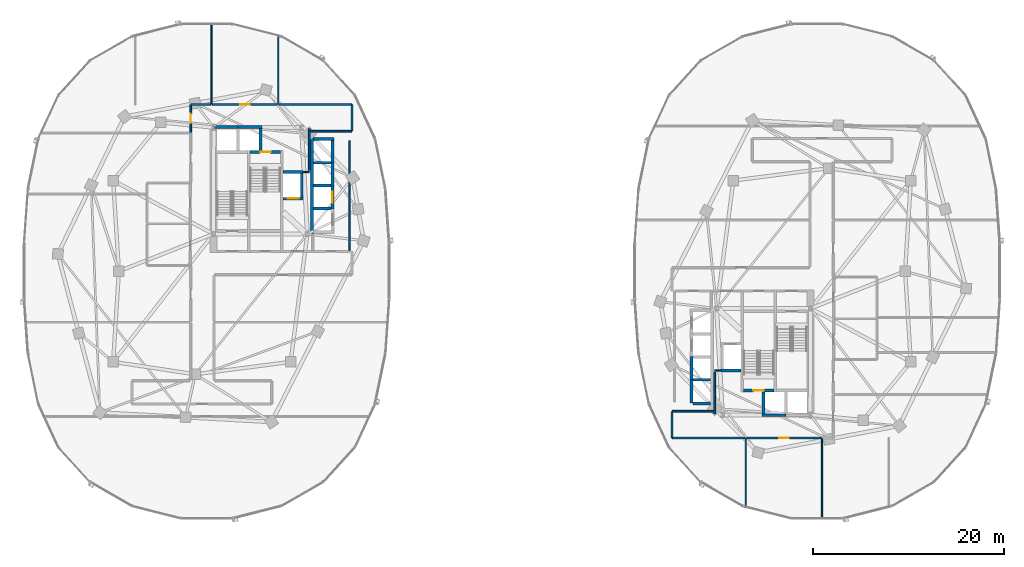
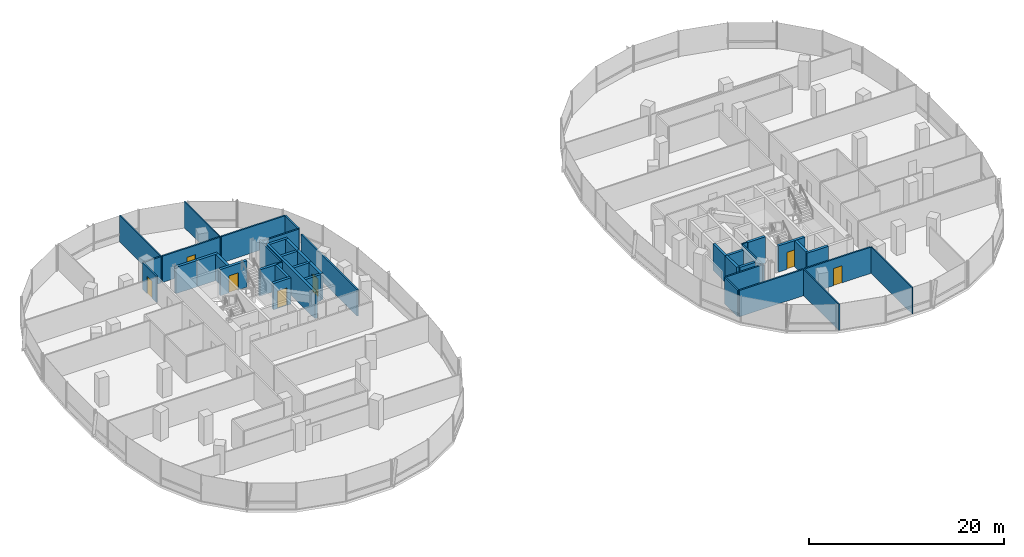
# One storey, part 12 of 21: 42 walls, 7 doors, 7 openings.
"""IFC4 building model written with IfcOpenShell, lengths in metres."""

import ifcopenshell
import ifcopenshell.guid

model = None  # the IFC model being written
_history = None  # IfcOwnerHistory: only IFC2X3 demands one
_inside = {}  # id of a spatial element -> (the spatial element, [elements in it])
_under = {}  # id of a project, library or spatial element -> (it, [spatial elements below it])
_declared = {}  # id of a project -> (the project, [libraries it declares])
_typed = {}  # id of a type object -> (the type object, [elements of that type])
_made_of = {}  # id of a material, layer set ... -> (it, [elements and type objects made of it])


def new_model(schema):
    """Start an empty IFC model of exactly this schema.

    Asked for "IFC4X3", IfcOpenShell would pick the latest addendum, in which some entities
    have other attributes; the version numbers below select the first issue.
    IFC2X3 requires an IfcOwnerHistory on every rooted entity: one is made here for all.
    """
    global model, _history
    if schema == "IFC4X3":
        model = ifcopenshell.file(schema_version=(4, 3, 0, 0))
    else:
        model = ifcopenshell.file(schema=schema)
    _inside.clear()
    _under.clear()
    _declared.clear()
    _typed.clear()
    _made_of.clear()
    _history = None
    if model.schema == "IFC2X3":
        org = make("IfcOrganization", Name="unknown")
        user = make(
            "IfcPersonAndOrganization",
            ThePerson=make("IfcPerson", FamilyName="unknown"),
            TheOrganization=org,
        )
        app = make(
            "IfcApplication",
            ApplicationDeveloper=org,
            Version="unknown",
            ApplicationFullName="unknown",
            ApplicationIdentifier="unknown",
        )
        _history = make(
            "IfcOwnerHistory",
            OwningUser=user,
            OwningApplication=app,
            ChangeAction="ADDED",
            CreationDate=0,
        )
    return model


def make(cls, **values):
    """One entity of the class cls with the attributes given. An attribute that is None is left unset."""
    return model.create_entity(
        cls, **{name: value for name, value in values.items() if value is not None}
    )


def rooted(cls, **values):
    """An entity with a GlobalId (a new one), such as an element, a storey or a relation."""
    return make(cls, GlobalId=ifcopenshell.guid.new(), OwnerHistory=_history, **values)


def si_unit(unit_type, name, prefix=None):
    """IfcSIUnit, for example si_unit("LENGTHUNIT", "METRE", prefix="MILLI")."""
    return make("IfcSIUnit", UnitType=unit_type, Prefix=prefix, Name=name)


def assignment(units):
    """IfcUnitAssignment: the units of a project."""
    return None if units is None else make("IfcUnitAssignment", Units=units)


def point(xyz):
    """IfcCartesianPoint."""
    return None if xyz is None else make("IfcCartesianPoint", Coordinates=xyz)


def direction(xyz):
    """IfcDirection."""
    return None if xyz is None else make("IfcDirection", DirectionRatios=xyz)


def frame(location, z_axis=None, x_axis=None):
    """IfcAxis2Placement3D, a coordinate frame: its origin and axes. An axis left out is left unset."""
    return make(
        "IfcAxis2Placement3D",
        Location=point(location),
        Axis=direction(z_axis),
        RefDirection=direction(x_axis),
    )


def frame_2d(location, x_axis=None):
    """IfcAxis2Placement2D, a coordinate frame in the plane: its origin and x axis."""
    return make(
        "IfcAxis2Placement2D", Location=point(location), RefDirection=direction(x_axis)
    )


def origin():
    """The frame at (0, 0, 0) with its axes left unset."""
    return frame((0.0, 0.0, 0.0))


def place(relative_to, where):
    """IfcLocalPlacement: puts the frame where relative to a parent placement (None: the world)."""
    return make(
        "IfcLocalPlacement", PlacementRelTo=relative_to, RelativePlacement=where
    )


def context(
    kind, dimensions, precision=None, world=None, true_north=None, identifier=None
):
    """IfcGeometricRepresentationContext, for example the 3D "Model" context."""
    return make(
        "IfcGeometricRepresentationContext",
        ContextIdentifier=identifier,
        ContextType=kind,
        CoordinateSpaceDimension=dimensions,
        Precision=precision,
        WorldCoordinateSystem=world,
        TrueNorth=true_north,
    )


def subcontext(parent, identifier, kind, view, scale=None):
    """IfcGeometricRepresentationSubContext, for example "Body" below "Model"."""
    return make(
        "IfcGeometricRepresentationSubContext",
        ContextIdentifier=identifier,
        ContextType=kind,
        ParentContext=parent,
        TargetScale=scale,
        TargetView=view,
    )


def project(units=None, contexts=None):
    """IfcProject with its units and contexts."""
    return rooted(
        "IfcProject",
        Name="project",
        RepresentationContexts=contexts,
        UnitsInContext=assignment(units),
    )


def spatial(cls, under=None, at=None, **own):
    """A site, building, storey or space (cls), placed at a placement, below another one or the project."""
    s = rooted(cls, ObjectPlacement=at, **own)
    if under is not None:
        _under.setdefault(under.id(), (under, []))[1].append(s)
    return s


def profile(cls, at=None, kind="AREA", **sizes):
    """A parametric profile (cls). Its sizes go by their IFC names, for example OverallWidth=200.0."""
    return make(cls, ProfileType=kind, Position=at, **sizes)


def rectangle(**sizes):
    """IfcRectangleProfileDef."""
    return profile("IfcRectangleProfileDef", **sizes)


def extrude(swept, where, along, depth):
    """IfcExtrudedAreaSolid: the profile swept, set in the frame where, extruded along a direction by depth."""
    return make(
        "IfcExtrudedAreaSolid",
        SweptArea=swept,
        Position=where,
        ExtrudedDirection=direction(along),
        Depth=depth,
    )


def shape(context_of_items, identifier, shape_type, items):
    """IfcShapeRepresentation: the items that make up one representation, for example the "Body"."""
    return make(
        "IfcShapeRepresentation",
        ContextOfItems=context_of_items,
        RepresentationIdentifier=identifier,
        RepresentationType=shape_type,
        Items=items,
    )


def material(Name=None, Category=None):
    """IfcMaterial."""
    return make("IfcMaterial", Name=Name, Category=Category)


def layer(
    of_material, thickness, ventilated=None, Name=None, Category=None, Priority=None
):
    """IfcMaterialLayer: one layer of a wall or slab, of a material (None: an air gap)."""
    return make(
        "IfcMaterialLayer",
        Material=of_material,
        LayerThickness=thickness,
        IsVentilated=ventilated,
        Name=Name,
        Category=Category,
        Priority=Priority,
    )


def layer_set(layers, Name=None):
    """IfcMaterialLayerSet."""
    return make("IfcMaterialLayerSet", MaterialLayers=layers, LayerSetName=Name)


def made_of(thing, what):
    """Note that an element or type object is made of a material, layer set ...; save() writes the relation."""
    if what is not None:
        _made_of.setdefault(what.id(), (what, []))[1].append(thing)
    return thing


def type_object(cls, material=None, **own):
    """A type object (cls), such as IfcWallType, which elements share."""
    return made_of(rooted(cls, **own), material)


def element(
    cls,
    number,
    at=None,
    inside=None,
    cuts=None,
    type_object=None,
    material=None,
    context=None,
    identifier="Body",
    shape_type=None,
    held_by="IfcProductDefinitionShape",
    body=None,
    shapes=None,
    **own,
):
    """One element of the class cls, such as IfcWall. Its Tag is "e" and its number.

    at: its placement. inside: the storey or other place that contains it. cuts: it is an
    opening in that element (IfcRelVoidsElement). A single representation is given by context,
    identifier, shape_type and body (its items); several are given by shapes. held_by: the class
    of the entity that holds the representations. save() writes the other relations.
    """
    e = rooted(cls, Tag="e%d" % number, ObjectPlacement=at, **own)
    if body is not None:
        shapes = [shape(context, identifier, shape_type, body)]
    if shapes is not None:
        e.Representation = make(held_by, Representations=shapes)
    if inside is not None:
        _inside.setdefault(inside.id(), (inside, []))[1].append(e)
    if cuts is not None:
        rooted(
            "IfcRelVoidsElement", RelatingBuildingElement=cuts, RelatedOpeningElement=e
        )
    if type_object is not None:
        _typed.setdefault(type_object.id(), (type_object, []))[1].append(e)
    return made_of(e, material)


def fill(opening, filler):
    """IfcRelFillsElement: the door or window that sits in an opening."""
    return rooted(
        "IfcRelFillsElement",
        RelatingOpeningElement=opening,
        RelatedBuildingElement=filler,
    )


def aggregate(whole, parts):
    """IfcRelAggregates: a whole, such as a stair, and the parts it consists of."""
    return rooted("IfcRelAggregates", RelatingObject=whole, RelatedObjects=parts)


def save(model, path):
    """Write the relations noted so far, then the file.

    IfcRelAggregates (storeys below a building ...), IfcRelContainedInSpatialStructure (elements
    in a storey), IfcRelDefinesByType, IfcRelAssociatesMaterial and IfcRelDeclares: one each for
    every whole, place, type object, material and project.
    """
    for whole, parts in _under.values():
        aggregate(whole, parts)
    for where, things in _inside.values():
        rooted(
            "IfcRelContainedInSpatialStructure",
            RelatedElements=things,
            RelatingStructure=where,
        )
    for kind, things in _typed.values():
        rooted("IfcRelDefinesByType", RelatedObjects=things, RelatingType=kind)
    for what, things in _made_of.values():
        rooted("IfcRelAssociatesMaterial", RelatedObjects=things, RelatingMaterial=what)
    for by, libraries in _declared.values():
        rooted("IfcRelDeclares", RelatingContext=by, RelatedDefinitions=libraries)
    model.write(path)


model = new_model("IFC4")

# Units and contexts
model_context = context("Model", 3, precision=1e-05, world=origin(), true_north=direction((0.0, 1.0)))
body_context = subcontext(model_context, "Body", "Model", "MODEL_VIEW")
ifc_project = project(units=[si_unit("LENGTHUNIT", "METRE"), si_unit("AREAUNIT", "SQUARE_METRE"), si_unit("VOLUMEUNIT", "CUBIC_METRE"), si_unit("PLANEANGLEUNIT", "RADIAN"), si_unit("MASSUNIT", "GRAM", prefix="KILO"), si_unit("THERMODYNAMICTEMPERATUREUNIT", "KELVIN"), si_unit("POWERUNIT", "WATT")], contexts=[model_context])

# Site, building, storey
site_placement = place(None, origin())
site = spatial("IfcSite", under=ifc_project, at=site_placement, CompositionType="ELEMENT")
building_placement = place(site_placement, origin())
building = spatial("IfcBuilding", under=site, at=building_placement, Name="Cundina Bronze Exchange", CompositionType="ELEMENT")
storey_placement = place(building_placement, frame((0.0, 0.0, 117.800048828125)))
storey = spatial("IfcBuildingStorey", under=building, at=storey_placement, Name="L30", CompositionType="ELEMENT", Elevation=117.800048828125)

# Walls
ifc_material_1 = material(Name="Gypsum Fireboard Partition EI120")
ifc_layer_1 = layer(ifc_material_1, 0.179931640625, Name="Gypsum Fireboard Partition EI120")
ifc_layer_set_1 = layer_set([ifc_layer_1], Name="Gypsum Fireboard Partition EI120")
wall_type_1 = type_object("IfcWallType", Name="WL-COR-180", PredefinedType="PARTITIONING", material=ifc_layer_set_1)
wall_1_placement = place(storey_placement, frame((-17.02001953125, 2.169921875, 0.0), z_axis=(0.0, 0.0, 1.0), x_axis=(0.0, 1.0, 0.0)))
element("IfcWall", 1, at=wall_1_placement, inside=storey, type_object=wall_type_1, Name="L30 Interior Partition 001", PredefinedType="PARTITIONING", context=body_context, shape_type="SweptSolid", body=[
    extrude(rectangle(XDim=11.510009765625, YDim=0.179931640625, at=frame_2d((5.7548828125, 0.0))), origin(), (0.0, 0.0, 1.0), 3.300048828125),
])
wall_2_placement = place(storey_placement, frame((-21.25, 10.570068359375, 0.0), z_axis=(0.0, 0.0, 1.0), x_axis=(0.0, 1.0, 0.0)))
element("IfcWall", 2, at=wall_2_placement, inside=storey, type_object=wall_type_1, Name="L30 Interior Partition 004", PredefinedType="PARTITIONING", context=body_context, shape_type="SweptSolid", body=[
    extrude(rectangle(XDim=4.35986328125, YDim=0.179931640625, at=frame_2d((2.179931640625, 0.0))), origin(), (0.0, 0.0, 1.0), 3.300048828125),
])
wall_3_placement = place(storey_placement, frame((-16.821533203125, 17.469970703125, 0.0), z_axis=(0.0, 0.0, 1.0), x_axis=(-1.0, 0.0, 0.0)))
element("IfcWall", 3, at=wall_3_placement, inside=storey, type_object=wall_type_1, Name="L30 Interior Partition 030", PredefinedType="PARTITIONING", context=body_context, shape_type="SweptSolid", body=[
    extrude(rectangle(XDim=7.58837890625, YDim=0.179931640625, at=frame_2d((3.794189453125, 0.0))), origin(), (0.0, 0.0, 1.0), 3.300048828125),
])
wall_4_placement = place(storey_placement, frame((-21.178466796875, 14.679931640625, 0.0), z_axis=(0.0, 0.0, 1.0), x_axis=(1.0, 0.0, 0.0)))
element("IfcWall", 4, at=wall_4_placement, inside=storey, type_object=wall_type_1, Name="L30 Interior Partition 032", PredefinedType="PARTITIONING", context=body_context, shape_type="SweptSolid", body=[
    extrude(rectangle(XDim=4.35693359375, YDim=0.179931640625, at=frame_2d((2.178466796875, 0.0))), origin(), (0.0, 0.0, 1.0), 3.300048828125),
])
wall_5_placement = place(storey_placement, frame((-16.780029296875, 14.721435546875, 0.0), z_axis=(0.0, 0.0, 1.0), x_axis=(0.0, 1.0, 0.0)))
element("IfcWall", 5, at=wall_5_placement, inside=storey, type_object=wall_type_1, Name="L30 Interior Partition 033", PredefinedType="PARTITIONING", context=body_context, shape_type="SweptSolid", body=[
    extrude(rectangle(XDim=2.70703125, YDim=0.179931640625, at=frame_2d((1.353515625, 0.0))), origin(), (0.0, 0.0, 1.0), 3.300048828125),
])

# Wall, opening, door
wall_6_placement = place(storey_placement, frame((-33.669921875, 17.428466796875, 0.0), z_axis=(0.0, 0.0, 1.0), x_axis=(0.0, -1.0, 0.0)))
wall_6 = element("IfcWall", 6, at=wall_6_placement, inside=storey, type_object=wall_type_1, Name="L30 Interior Partition 036", PredefinedType="PARTITIONING", context=body_context, shape_type="SweptSolid", body=[
    extrude(rectangle(XDim=2.83837890625, YDim=0.179931640625, at=frame_2d((1.419189453125, 0.0))), origin(), (0.0, 0.0, 1.0), 3.300048828125),
])
opening_1_placement = place(wall_6_placement, frame((0.919189453125, 0.0, 0.0)))
opening_1 = element("IfcOpeningElement", 7, at=opening_1_placement, cuts=wall_6, Name="Opening DO-01", PredefinedType="OPENING", context=body_context, shape_type="SweptSolid", body=[
    extrude(rectangle(XDim=1.0, YDim=2.14990234375, at=frame_2d((0.5, 1.074951171875))), frame((0.0, 0.099853515625, 0.0), z_axis=(0.0, -1.0, 0.0), x_axis=(1.0, 0.0, 0.0)), (0.0, 0.0, 1.0), 0.199951171875),
])
ifc_material_2 = material(Name="Solid Andean Oak Timber Grade A", Category="wood")
door_type_1 = type_object("IfcDoorType", Name="DR-OFF-1000", OperationType="NOTDEFINED", PredefinedType="DOOR", material=ifc_material_2)
door_1_placement = place(opening_1_placement, origin())
door_1 = element("IfcDoor", 8, at=door_1_placement, inside=storey, type_object=door_type_1, Name="L30 Interior Door 036", OperationType="SINGLE_SWING_LEFT", OverallHeight=2.14990234375, OverallWidth=1.0, PredefinedType="DOOR", context=body_context, shape_type="SweptSolid", body=[
    extrude(rectangle(XDim=1.0, YDim=2.14990234375, at=frame_2d((0.5, 1.074951171875))), frame((0.0, 0.02490234375, 0.0), z_axis=(0.0, -1.0, 0.0), x_axis=(1.0, 0.0, 0.0)), (0.0, 0.0, 1.0), 0.050048828125),
])
fill(opening_1, door_1)

# Wall
wall_7_placement = place(storey_placement, frame((-31.590087890625, 17.469970703125, 0.0), z_axis=(0.0, 0.0, 1.0), x_axis=(-1.0, 0.0, 0.0)))
element("IfcWall", 9, at=wall_7_placement, inside=storey, type_object=wall_type_1, Name="L30 Interior Partition 037", PredefinedType="PARTITIONING", context=body_context, shape_type="SweptSolid", body=[
    extrude(rectangle(XDim=2.038330078125, YDim=0.179931640625, at=frame_2d((1.01904296875, 0.0))), origin(), (0.0, 0.0, 1.0), 3.300048828125),
])

# Wall, opening, door
wall_8_placement = place(storey_placement, frame((-24.590087890625, 17.469970703125, 0.0), z_axis=(0.0, 0.0, 1.0), x_axis=(-1.0, 0.0, 0.0)))
wall_8 = element("IfcWall", 10, at=wall_8_placement, inside=storey, type_object=wall_type_1, Name="L30 Interior Partition 038", PredefinedType="PARTITIONING", context=body_context, shape_type="SweptSolid", body=[
    extrude(rectangle(XDim=6.81982421875, YDim=0.179931640625, at=frame_2d((3.409912109375, 0.0))), origin(), (0.0, 0.0, 1.0), 3.300048828125),
])
opening_2_placement = place(wall_8_placement, frame((2.909912109375, 0.0, 0.0)))
opening_2 = element("IfcOpeningElement", 11, at=opening_2_placement, cuts=wall_8, Name="Opening DO-01", PredefinedType="OPENING", context=body_context, shape_type="SweptSolid", body=[
    extrude(rectangle(XDim=1.0, YDim=2.14990234375, at=frame_2d((0.5, 1.074951171875))), frame((0.0, 0.099853515625, 0.0), z_axis=(0.0, -1.0, 0.0), x_axis=(1.0, 0.0, 0.0)), (0.0, 0.0, 1.0), 0.199951171875),
])
door_2_placement = place(opening_2_placement, origin())
door_2 = element("IfcDoor", 12, at=door_2_placement, inside=storey, type_object=door_type_1, Name="L30 Interior Door 038", OperationType="SINGLE_SWING_LEFT", OverallHeight=2.14990234375, OverallWidth=1.0, PredefinedType="DOOR", context=body_context, shape_type="SweptSolid", body=[
    extrude(rectangle(XDim=1.0, YDim=2.14990234375, at=frame_2d((0.5, 1.074951171875))), frame((0.0, 0.02490234375, 0.0), z_axis=(0.0, -1.0, 0.0), x_axis=(1.0, 0.0, 0.0)), (0.0, 0.0, 1.0), 0.050048828125),
])
fill(opening_2, door_2)

# Wall
wall_9_placement = place(storey_placement, frame((21.25, -14.929931640625, 0.0), z_axis=(0.0, 0.0, 1.0), x_axis=(0.0, 1.0, 0.0)))
element("IfcWall", 13, at=wall_9_placement, inside=storey, type_object=wall_type_1, Name="L30 Interior Partition 043", PredefinedType="PARTITIONING", context=body_context, shape_type="SweptSolid", body=[
    extrude(rectangle(XDim=4.35986328125, YDim=0.179931640625, at=frame_2d((2.179931640625, 0.0))), origin(), (0.0, 0.0, 1.0), 3.300048828125),
])

# Wall, opening, door
wall_10_placement = place(storey_placement, frame((24.590087890625, -17.469970703125, 0.0), z_axis=(0.0, 0.0, 1.0), x_axis=(1.0, 0.0, 0.0)))
wall_10 = element("IfcWall", 14, at=wall_10_placement, inside=storey, type_object=wall_type_1, Name="L30 Interior Partition 060", PredefinedType="PARTITIONING", context=body_context, shape_type="SweptSolid", body=[
    extrude(rectangle(XDim=7.81982421875, YDim=0.179931640625, at=frame_2d((3.909912109375, 0.0))), origin(), (0.0, 0.0, 1.0), 3.300048828125),
])
opening_3_placement = place(wall_10_placement, frame((3.409912109375, 0.0, 0.0)))
opening_3 = element("IfcOpeningElement", 15, at=opening_3_placement, cuts=wall_10, Name="Opening DO-01", PredefinedType="OPENING", context=body_context, shape_type="SweptSolid", body=[
    extrude(rectangle(XDim=1.0, YDim=2.14990234375, at=frame_2d((0.5, 1.074951171875))), frame((0.0, 0.099853515625, 0.0), z_axis=(0.0, -1.0, 0.0), x_axis=(1.0, 0.0, 0.0)), (0.0, 0.0, 1.0), 0.199951171875),
])
door_3_placement = place(opening_3_placement, origin())
door_3 = element("IfcDoor", 16, at=door_3_placement, inside=storey, type_object=door_type_1, Name="L30 Interior Door 060", OperationType="SINGLE_SWING_RIGHT", OverallHeight=2.14990234375, OverallWidth=1.0, PredefinedType="DOOR", context=body_context, shape_type="SweptSolid", body=[
    extrude(rectangle(XDim=1.0, YDim=2.14990234375, at=frame_2d((0.5, 1.074951171875))), frame((0.0, 0.02490234375, 0.0), z_axis=(0.0, -1.0, 0.0), x_axis=(1.0, 0.0, 0.0)), (0.0, 0.0, 1.0), 0.050048828125),
])
fill(opening_3, door_3)

# Walls
wall_11_placement = place(storey_placement, frame((16.821533203125, -17.469970703125, 0.0), z_axis=(0.0, 0.0, 1.0), x_axis=(1.0, 0.0, 0.0)))
element("IfcWall", 17, at=wall_11_placement, inside=storey, type_object=wall_type_1, Name="L30 Interior Partition 065", PredefinedType="PARTITIONING", context=body_context, shape_type="SweptSolid", body=[
    extrude(rectangle(XDim=7.58837890625, YDim=0.179931640625, at=frame_2d((3.794189453125, 0.0))), origin(), (0.0, 0.0, 1.0), 3.300048828125),
])
wall_12_placement = place(storey_placement, frame((21.178466796875, -14.679931640625, 0.0), z_axis=(0.0, 0.0, 1.0), x_axis=(-1.0, 0.0, 0.0)))
element("IfcWall", 18, at=wall_12_placement, inside=storey, type_object=wall_type_1, Name="L30 Interior Partition 067", PredefinedType="PARTITIONING", context=body_context, shape_type="SweptSolid", body=[
    extrude(rectangle(XDim=4.35693359375, YDim=0.179931640625, at=frame_2d((2.178466796875, 0.0))), origin(), (0.0, 0.0, 1.0), 3.300048828125),
])
wall_13_placement = place(storey_placement, frame((16.780029296875, -14.721435546875, 0.0), z_axis=(0.0, 0.0, 1.0), x_axis=(0.0, -1.0, 0.0)))
element("IfcWall", 19, at=wall_13_placement, inside=storey, type_object=wall_type_1, Name="L30 Interior Partition 068", PredefinedType="PARTITIONING", context=body_context, shape_type="SweptSolid", body=[
    extrude(rectangle(XDim=2.70703125, YDim=0.179931640625, at=frame_2d((1.353515625, 0.0))), origin(), (0.0, 0.0, 1.0), 3.300048828125),
])
ifc_material_3 = material(Name="Gypsum Acoustic Partition EI60")
ifc_layer_2 = layer(ifc_material_3, 0.125, Name="Gypsum Acoustic Partition EI60")
ifc_layer_set_2 = layer_set([ifc_layer_2], Name="Gypsum Acoustic Partition EI60")
wall_type_2 = type_object("IfcWallType", Name="WL-OFF-125", PredefinedType="PARTITIONING", material=ifc_layer_set_2)
wall_14_placement = place(storey_placement, frame((-31.5, 17.5, 0.0), z_axis=(0.0, 0.0, 1.0), x_axis=(0.0, 1.0, 0.0)))
element("IfcWall", 20, at=wall_14_placement, inside=storey, type_object=wall_type_2, Name="L30 Interior Partition 019", PredefinedType="PARTITIONING", context=body_context, shape_type="SweptSolid", body=[
    extrude(rectangle(XDim=8.485107421875, YDim=0.125, at=frame_2d((4.24267578125, 0.0))), origin(), (0.0, 0.0, 1.0), 3.300048828125),
])
for number, where, z_axis, x_axis, name in (
    (21, (-24.5, 17.5, 0.0), (0.0, 0.0, 1.0), (0.0, 1.0, 0.0), "L30 Interior Partition 020"),
    (22, (24.5, -24.772216796875, 0.0), (0.0, 0.0, 1.0), (0.0, 1.0, 0.0), "L30 Interior Partition 057"),
):
    element("IfcWall", number, at=place(storey_placement, frame(where, z_axis=z_axis, x_axis=x_axis)), inside=storey, type_object=wall_type_2, Name=name, PredefinedType="PARTITIONING", context=body_context, shape_type="SweptSolid", body=[
        extrude(rectangle(XDim=7.272216796875, YDim=0.125, at=frame_2d((3.63623046875, 0.0))), origin(), (0.0, 0.0, 1.0), 3.300048828125),
    ])
wall_15_placement = place(storey_placement, frame((32.5, -25.985107421875, 0.0), z_axis=(0.0, 0.0, 1.0), x_axis=(0.0, 1.0, 0.0)))
element("IfcWall", 23, at=wall_15_placement, inside=storey, type_object=wall_type_2, Name="L30 Interior Partition 058", PredefinedType="PARTITIONING", context=body_context, shape_type="SweptSolid", body=[
    extrude(rectangle(XDim=8.485107421875, YDim=0.125, at=frame_2d((4.24267578125, 0.0))), origin(), (0.0, 0.0, 1.0), 3.300048828125),
])

# Wall, opening, door
ifc_material_4 = material(Name="Concrete C50/60", Category="concrete")
ifc_layer_3 = layer(ifc_material_4, 0.300048828125, Name="Concrete C50/60", Category="concrete")
ifc_layer_set_3 = layer_set([ifc_layer_3], Name="Concrete C50/60")
wall_type_3 = type_object("IfcWallType", Name="WL-SHFT-300", PredefinedType="SHEAR", material=ifc_layer_set_3)
wall_16_placement = place(storey_placement, frame((-27.43994140625, 12.5, 0.0), z_axis=(0.0, 0.0, 1.0), x_axis=(1.0, 0.0, 0.0)))
wall_16 = element("IfcWall", 24, at=wall_16_placement, inside=storey, type_object=wall_type_3, Name="L30 Stair W2 Landing Wall", PredefinedType="SHEAR", context=body_context, shape_type="SweptSolid", body=[
    extrude(rectangle(XDim=3.159912109375, YDim=0.300048828125, at=frame_2d((1.580078125, 0.0))), origin(), (0.0, 0.0, 1.0), 3.300048828125),
])
opening_4_placement = place(wall_16_placement, frame((1.030029296875, 0.0, 0.0)))
opening_4 = element("IfcOpeningElement", 25, at=opening_4_placement, cuts=wall_16, Name="Opening DS-01", PredefinedType="OPENING", context=body_context, shape_type="SweptSolid", body=[
    extrude(rectangle(XDim=1.10009765625, YDim=2.14990234375, at=frame_2d((0.550048828125, 1.074951171875))), frame((0.0, 0.159912109375, 0.0), z_axis=(0.0, -1.0, 0.0), x_axis=(1.0, 0.0, 0.0)), (0.0, 0.0, 1.0), 0.320068359375),
])
ifc_material_5 = material(Name="Steel ASTM A36 Painted", Category="steel")
door_type_2 = type_object("IfcDoorType", Name="DR-STR-1100", OperationType="NOTDEFINED", PredefinedType="DOOR", material=ifc_material_5)
door_4_placement = place(opening_4_placement, origin())
door_4 = element("IfcDoor", 26, at=door_4_placement, inside=storey, type_object=door_type_2, Name="L30 Smokeproof Stair W2 Door", OperationType="SINGLE_SWING_LEFT", OverallHeight=2.14990234375, OverallWidth=1.10009765625, PredefinedType="DOOR", context=body_context, shape_type="SweptSolid", body=[
    extrude(rectangle(XDim=1.10009765625, YDim=2.14990234375, at=frame_2d((0.550048828125, 1.074951171875))), frame((0.0, 0.02490234375, 0.0), z_axis=(0.0, -1.0, 0.0), x_axis=(1.0, 0.0, 0.0)), (0.0, 0.0, 1.0), 0.050048828125),
])
fill(opening_4, door_4)

wall_17_placement = place(storey_placement, frame((-23.97998046875, 7.60009765625, 0.0), z_axis=(0.0, 0.0, 1.0), x_axis=(1.0, 0.0, 0.0)))
wall_17 = element("IfcWall", 27, at=wall_17_placement, inside=storey, type_object=wall_type_3, Name="L30 FFL-W Hoistway Front Wall", PredefinedType="SHEAR", context=body_context, shape_type="SweptSolid", body=[
    extrude(rectangle(XDim=2.10009765625, YDim=0.300048828125, at=frame_2d((1.050048828125, 0.0))), origin(), (0.0, 0.0, 1.0), 3.300048828125),
])
opening_5_placement = place(wall_17_placement, frame((0.47509765625, 0.0, 0.0)))
opening_5 = element("IfcOpeningElement", 28, at=opening_5_placement, cuts=wall_17, Name="Opening LD-01", PredefinedType="OPENING", context=body_context, shape_type="SweptSolid", body=[
    extrude(rectangle(XDim=1.14990234375, YDim=2.199951171875, at=frame_2d((0.574951171875, 1.10009765625))), frame((0.0, 0.159912109375, 0.0), z_axis=(0.0, -1.0, 0.0), x_axis=(1.0, 0.0, 0.0)), (0.0, 0.0, 1.0), 0.320068359375),
])
door_type_3 = type_object("IfcDoorType", Name="DR-LND-1150", OperationType="NOTDEFINED", PredefinedType="TRAPDOOR", material=ifc_material_5)
door_5_placement = place(opening_5_placement, origin())
door_5 = element("IfcDoor", 29, at=door_5_placement, inside=storey, type_object=door_type_3, Name="L30 FFL-W Sliding Landing Door", OperationType="SLIDING_TO_LEFT", OverallHeight=2.199951171875, OverallWidth=1.14990234375, PredefinedType="TRAPDOOR", context=body_context, shape_type="SweptSolid", body=[
    extrude(rectangle(XDim=1.14990234375, YDim=2.199951171875, at=frame_2d((0.574951171875, 1.10009765625))), frame((0.0, 0.02490234375, 0.0), z_axis=(0.0, -1.0, 0.0), x_axis=(1.0, 0.0, 0.0)), (0.0, 0.0, 1.0), 0.050048828125),
])
fill(opening_5, door_5)

# Walls
wall_18_placement = place(storey_placement, frame((-23.97998046875, 10.39990234375, 0.0), z_axis=(0.0, 0.0, 1.0), x_axis=(1.0, 0.0, 0.0)))
element("IfcWall", 30, at=wall_18_placement, inside=storey, type_object=wall_type_3, Name="L30 FFL-W Hoistway Back Wall", PredefinedType="SHEAR", context=body_context, shape_type="SweptSolid", body=[
    extrude(rectangle(XDim=2.10009765625, YDim=0.300048828125, at=frame_2d((1.050048828125, 0.0))), origin(), (0.0, 0.0, 1.0), 3.300048828125),
])
for number, where, z_axis, x_axis, name in (
    (31, (-22.030029296875, 7.75, 0.0), (0.0, 0.0, 1.0), (0.0, 1.0, 0.0), "L30 FFL-W Hoistway Side Wall"),
    (32, (-31.199951171875, 15.10009765625, 0.0), (0.0, 0.0, 1.0), (1.0, 0.0, 0.0), "L30 PH-W1 Hoistway Front Wall"),
    (33, (-28.699951171875, 15.10009765625, 0.0), (0.0, 0.0, 1.0), (1.0, 0.0, 0.0), "L30 PH-W2 Hoistway Front Wall"),
):
    element("IfcWall", number, at=place(storey_placement, frame(where, z_axis=z_axis, x_axis=x_axis)), inside=storey, type_object=wall_type_3, Name=name, PredefinedType="SHEAR", context=body_context, shape_type="SweptSolid", body=[
        extrude(rectangle(XDim=2.5, YDim=0.300048828125, at=frame_2d((1.25, 0.0))), origin(), (0.0, 0.0, 1.0), 3.300048828125),
    ])
wall_19_placement = place(storey_placement, frame((-26.35009765625, 12.64990234375, 0.0), z_axis=(0.0, 0.0, 1.0), x_axis=(0.0, 1.0, 0.0)))
element("IfcWall", 34, at=wall_19_placement, inside=storey, type_object=wall_type_3, Name="L30 PH-W2 Hoistway Divider Wall", PredefinedType="SHEAR", context=body_context, shape_type="SweptSolid", body=[
    extrude(rectangle(XDim=2.300048828125, YDim=0.300048828125, at=frame_2d((1.14990234375, 0.0))), origin(), (0.0, 0.0, 1.0), 3.300048828125),
])
wall_20_placement = place(storey_placement, frame((-20.949951171875, 3.949951171875, 0.0), z_axis=(0.0, 0.0, 1.0), x_axis=(0.0, 1.0, 0.0)))
element("IfcWall", 35, at=wall_20_placement, inside=storey, type_object=wall_type_3, Name="L30 W Passenger Bank Hoistway Back Wall", PredefinedType="SHEAR", context=body_context, shape_type="SweptSolid", body=[
    extrude(rectangle(XDim=10.050048828125, YDim=0.300048828125, at=frame_2d((5.02490234375, 0.0))), origin(), (0.0, 0.0, 1.0), 3.300048828125),
])
wall_21_placement = place(storey_placement, frame((-20.800048828125, 13.85009765625, 0.0), z_axis=(0.0, 0.0, 1.0), x_axis=(1.0, 0.0, 0.0)))
element("IfcWall", 36, at=wall_21_placement, inside=storey, type_object=wall_type_3, Name="L30 W Passenger Bank North Cap Wall", PredefinedType="SHEAR", context=body_context, shape_type="SweptSolid", body=[
    extrude(rectangle(XDim=2.150146484375, YDim=0.300048828125, at=frame_2d((1.0751953125, 0.0))), origin(), (0.0, 0.0, 1.0), 3.300048828125),
])
for number, where, z_axis, x_axis, name in (
    (37, (-20.800048828125, 6.574951171875, 0.0), (0.0, 0.0, 1.0), (1.0, 0.0, 0.0), "L30 W Passenger Hoistway Divider 1"),
    (38, (-20.800048828125, 8.97509765625, 0.0), (0.0, 0.0, 1.0), (1.0, 0.0, 0.0), "L30 W Passenger Hoistway Divider 2"),
    (39, (-20.800048828125, 11.375, 0.0), (0.0, 0.0, 1.0), (1.0, 0.0, 0.0), "L30 W Passenger Hoistway Divider 3"),
):
    element("IfcWall", number, at=place(storey_placement, frame(where, z_axis=z_axis, x_axis=x_axis)), inside=storey, type_object=wall_type_3, Name=name, PredefinedType="SHEAR", context=body_context, shape_type="SweptSolid", body=[
        extrude(rectangle(XDim=1.85009765625, YDim=0.300048828125, at=frame_2d((0.925048828125, 0.0))), origin(), (0.0, 0.0, 1.0), 3.300048828125),
    ])

# Wall, opening, door
wall_22_placement = place(storey_placement, frame((-18.800048828125, 6.530029296875, 0.0), z_axis=(0.0, 0.0, 1.0), x_axis=(0.0, 1.0, 0.0)))
wall_22 = element("IfcWall", 40, at=wall_22_placement, inside=storey, type_object=wall_type_3, Name="L30 PL-W1 Hoistway Front Wall", PredefinedType="SHEAR", context=body_context, shape_type="SweptSolid", body=[
    extrude(rectangle(XDim=2.489990234375, YDim=0.300048828125, at=frame_2d((1.2451171875, 0.0))), origin(), (0.0, 0.0, 1.0), 3.300048828125),
])
opening_6_placement = place(wall_22_placement, frame((0.669921875, 0.0, 0.0)))
opening_6 = element("IfcOpeningElement", 41, at=opening_6_placement, cuts=wall_22, Name="Opening LD-01", PredefinedType="OPENING", context=body_context, shape_type="SweptSolid", body=[
    extrude(rectangle(XDim=1.14990234375, YDim=2.199951171875, at=frame_2d((0.574951171875, 1.10009765625))), frame((0.0, 0.159912109375, 0.0), z_axis=(0.0, -1.0, 0.0), x_axis=(1.0, 0.0, 0.0)), (0.0, 0.0, 1.0), 0.320068359375),
])
door_6_placement = place(opening_6_placement, origin())
door_6 = element("IfcDoor", 42, at=door_6_placement, inside=storey, type_object=door_type_3, Name="L30 PL-W1 Sliding Landing Door", OperationType="SLIDING_TO_LEFT", OverallHeight=2.199951171875, OverallWidth=1.14990234375, PredefinedType="TRAPDOOR", context=body_context, shape_type="SweptSolid", body=[
    extrude(rectangle(XDim=1.14990234375, YDim=2.199951171875, at=frame_2d((0.574951171875, 1.10009765625))), frame((0.0, 0.02490234375, 0.0), z_axis=(0.0, -1.0, 0.0), x_axis=(1.0, 0.0, 0.0)), (0.0, 0.0, 1.0), 0.050048828125),
])
fill(opening_6, door_6)

# Walls
for number, where, z_axis, x_axis, name in (
    (43, (-18.800048828125, 8.929931640625, 0.0), (0.0, 0.0, 1.0), (0.0, 1.0, 0.0), "L30 PM-W2 Hoistway Front Wall"),
    (44, (-18.800048828125, 11.330078125, 0.0), (0.0, 0.0, 1.0), (0.0, 1.0, 0.0), "L30 PM-W1 Hoistway Front Wall"),
):
    element("IfcWall", number, at=place(storey_placement, frame(where, z_axis=z_axis, x_axis=x_axis)), inside=storey, type_object=wall_type_3, Name=name, PredefinedType="SHEAR", context=body_context, shape_type="SweptSolid", body=[
        extrude(rectangle(XDim=2.489990234375, YDim=0.300048828125, at=frame_2d((1.2451171875, 0.0))), origin(), (0.0, 0.0, 1.0), 3.300048828125),
    ])

# Wall, opening, door
wall_23_placement = place(storey_placement, frame((24.280029296875, -12.5, 0.0), z_axis=(0.0, 0.0, 1.0), x_axis=(1.0, 0.0, 0.0)))
wall_23 = element("IfcWall", 45, at=wall_23_placement, inside=storey, type_object=wall_type_3, Name="L30 Stair E2 Landing Wall", PredefinedType="SHEAR", context=body_context, shape_type="SweptSolid", body=[
    extrude(rectangle(XDim=3.159912109375, YDim=0.300048828125, at=frame_2d((1.580078125, 0.0))), origin(), (0.0, 0.0, 1.0), 3.300048828125),
])
opening_7_placement = place(wall_23_placement, frame((1.030029296875, 0.0, 0.0)))
opening_7 = element("IfcOpeningElement", 46, at=opening_7_placement, cuts=wall_23, Name="Opening DS-01", PredefinedType="OPENING", context=body_context, shape_type="SweptSolid", body=[
    extrude(rectangle(XDim=1.10009765625, YDim=2.14990234375, at=frame_2d((0.550048828125, 1.074951171875))), frame((0.0, 0.159912109375, 0.0), z_axis=(0.0, -1.0, 0.0), x_axis=(1.0, 0.0, 0.0)), (0.0, 0.0, 1.0), 0.320068359375),
])
door_7_placement = place(opening_7_placement, origin())
door_7 = element("IfcDoor", 47, at=door_7_placement, inside=storey, type_object=door_type_2, Name="L30 Smokeproof Stair E2 Door", OperationType="SINGLE_SWING_RIGHT", OverallHeight=2.14990234375, OverallWidth=1.10009765625, PredefinedType="DOOR", context=body_context, shape_type="SweptSolid", body=[
    extrude(rectangle(XDim=1.10009765625, YDim=2.14990234375, at=frame_2d((0.550048828125, 1.074951171875))), frame((0.0, 0.02490234375, 0.0), z_axis=(0.0, -1.0, 0.0), x_axis=(1.0, 0.0, 0.0)), (0.0, 0.0, 1.0), 0.050048828125),
])
fill(opening_7, door_7)

# Walls
wall_24_placement = place(storey_placement, frame((21.8798828125, -10.39990234375, 0.0), z_axis=(0.0, 0.0, 1.0), x_axis=(1.0, 0.0, 0.0)))
element("IfcWall", 48, at=wall_24_placement, inside=storey, type_object=wall_type_3, Name="L30 FFL-E Hoistway Back Wall", PredefinedType="SHEAR", context=body_context, shape_type="SweptSolid", body=[
    extrude(rectangle(XDim=2.10009765625, YDim=0.300048828125, at=frame_2d((1.050048828125, 0.0))), origin(), (0.0, 0.0, 1.0), 3.300048828125),
])
wall_25_placement = place(storey_placement, frame((26.199951171875, -15.10009765625, 0.0), z_axis=(0.0, 0.0, 1.0), x_axis=(1.0, 0.0, 0.0)))
element("IfcWall", 49, at=wall_25_placement, inside=storey, type_object=wall_type_3, Name="L30 PH-E2 Hoistway Front Wall", PredefinedType="SHEAR", context=body_context, shape_type="SweptSolid", body=[
    extrude(rectangle(XDim=2.5, YDim=0.300048828125, at=frame_2d((1.25, 0.0))), origin(), (0.0, 0.0, 1.0), 3.300048828125),
])
wall_26_placement = place(storey_placement, frame((26.35009765625, -14.949951171875, 0.0), z_axis=(0.0, 0.0, 1.0), x_axis=(0.0, 1.0, 0.0)))
element("IfcWall", 50, at=wall_26_placement, inside=storey, type_object=wall_type_3, Name="L30 PH-E2 Hoistway Divider Wall", PredefinedType="SHEAR", context=body_context, shape_type="SweptSolid", body=[
    extrude(rectangle(XDim=2.300048828125, YDim=0.300048828125, at=frame_2d((1.14990234375, 0.0))), origin(), (0.0, 0.0, 1.0), 3.300048828125),
])
for number, where, z_axis, x_axis, name in (
    (51, (18.949951171875, -13.85009765625, 0.0), (0.0, 0.0, 1.0), (1.0, 0.0, 0.0), "L30 E Passenger Bank South Cap Wall"),
    (52, (18.949951171875, -11.375, 0.0), (0.0, 0.0, 1.0), (1.0, 0.0, 0.0), "L30 E Passenger Hoistway Divider 1"),
):
    element("IfcWall", number, at=place(storey_placement, frame(where, z_axis=z_axis, x_axis=x_axis)), inside=storey, type_object=wall_type_3, Name=name, PredefinedType="SHEAR", context=body_context, shape_type="SweptSolid", body=[
        extrude(rectangle(XDim=1.85009765625, YDim=0.300048828125, at=frame_2d((0.925048828125, 0.0))), origin(), (0.0, 0.0, 1.0), 3.300048828125),
    ])
for number, where, z_axis, x_axis, name in (
    (53, (18.800048828125, -13.820068359375, 0.0), (0.0, 0.0, 1.0), (0.0, 1.0, 0.0), "L30 PM-E1 Hoistway Front Wall"),
    (54, (18.800048828125, -11.419921875, 0.0), (0.0, 0.0, 1.0), (0.0, 1.0, 0.0), "L30 PM-E2 Hoistway Front Wall"),
):
    element("IfcWall", number, at=place(storey_placement, frame(where, z_axis=z_axis, x_axis=x_axis)), inside=storey, type_object=wall_type_3, Name=name, PredefinedType="SHEAR", context=body_context, shape_type="SweptSolid", body=[
        extrude(rectangle(XDim=2.489990234375, YDim=0.300048828125, at=frame_2d((1.2451171875, 0.0))), origin(), (0.0, 0.0, 1.0), 3.300048828125),
    ])
ifc_material_6 = material(Name="Moisture-Resistant Masonry Block Grade M15", Category="masonry")
ifc_layer_4 = layer(ifc_material_6, 0.139892578125, Name="Moisture-Resistant Masonry Block Grade M15", Category="masonry")
ifc_layer_set_4 = layer_set([ifc_layer_4], Name="Moisture-Resistant Masonry Block Grade M15")
wall_type_4 = type_object("IfcWallType", Name="WL-WET-140", PredefinedType="PARTITIONING", material=ifc_layer_set_4)
for number, where, z_axis, x_axis, name in (
    (55, (-21.860107421875, 10.39990234375, 0.0), (0.0, 0.0, 1.0), (1.0, 0.0, 0.0), "L30 Interior Partition 003"),
    (56, (21.27001953125, -10.39990234375, 0.0), (0.0, 0.0, 1.0), (1.0, 0.0, 0.0), "L30 Interior Partition 042"),
):
    element("IfcWall", number, at=place(storey_placement, frame(where, z_axis=z_axis, x_axis=x_axis)), inside=storey, type_object=wall_type_4, Name=name, PredefinedType="PARTITIONING", context=body_context, shape_type="SweptSolid", body=[
        extrude(rectangle(XDim=0.590087890625, YDim=0.139892578125, at=frame_2d((0.294921875, 0.0))), origin(), (0.0, 0.0, 1.0), 3.300048828125),
    ])

save(model, "model.ifc")
